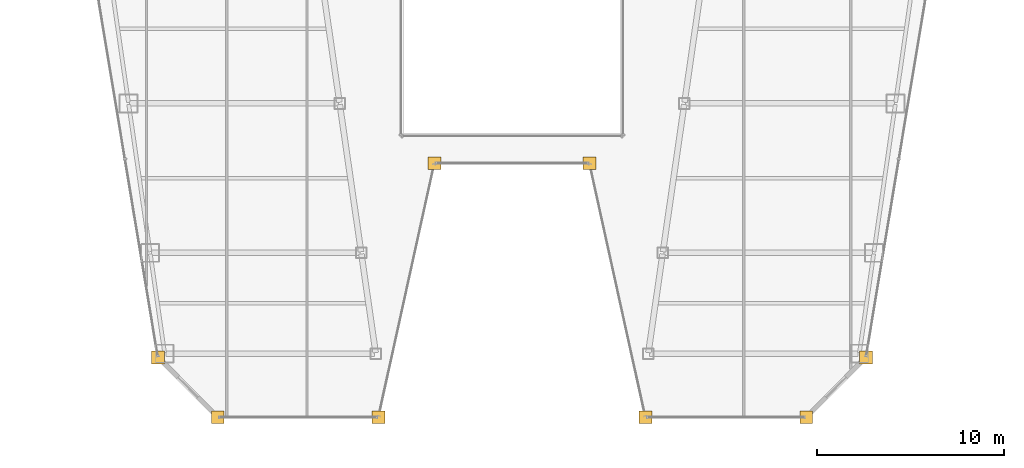
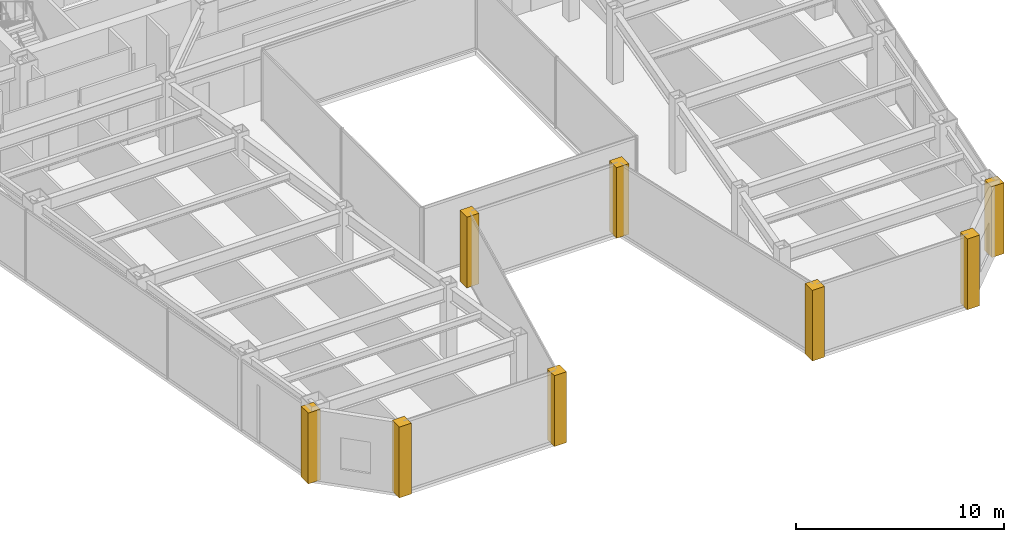
# One storey, part 35 of 37: 8 coverings.
"""IFC4 building model written with IfcOpenShell, lengths in metres."""

from ifc_helpers import new_model, si_unit, direction, frame, origin, place, context, subcontext, project, spatial, polyline, outline, extrude, material, layer, layer_set, type_object, element, save


model = new_model("IFC4")

# Units and contexts
model_context = context("Model", 3, precision=1e-05, world=origin(), true_north=direction((0.0, 1.0)))
body_context = subcontext(model_context, "Body", "Model", "MODEL_VIEW")
ifc_project = project(units=[si_unit("LENGTHUNIT", "METRE"), si_unit("AREAUNIT", "SQUARE_METRE"), si_unit("VOLUMEUNIT", "CUBIC_METRE"), si_unit("PLANEANGLEUNIT", "RADIAN"), si_unit("MASSUNIT", "GRAM", prefix="KILO")], contexts=[model_context])

# Site, building, storey
site_placement = place(None, origin())
site = spatial("IfcSite", under=ifc_project, at=site_placement, CompositionType="ELEMENT")
building_placement = place(site_placement, origin())
building = spatial("IfcBuilding", under=site, at=building_placement, Name="Saevonmaru Cultural Tower", CompositionType="ELEMENT")
storey_placement = place(building_placement, frame((0.0, 0.0, 114.800048828125)))
storey = spatial("IfcBuildingStorey", under=building, at=storey_placement, Name="L24", CompositionType="ELEMENT", Elevation=114.800048828125)

# Coverings
ifc_material = material(Name="Satin Bronze Anodised Aluminium", Category="aluminium")
ifc_layer = layer(ifc_material, 0.679931640625, Name="Satin Bronze Anodised Aluminium")
ifc_layer_set = layer_set([ifc_layer], Name="Satin Bronze Anodised Aluminium")
covering_type = type_object("IfcCoveringType", Name="CV-CORNER-CLAD", PredefinedType="CLADDING", material=ifc_layer_set)
covering_1_placement = place(storey_placement, origin())
element("IfcCovering", 1, at=covering_1_placement, inside=storey, type_object=covering_type, Name="L24 Tower Bronze Corner Cladding Pier 1", PredefinedType="CLADDING", context=body_context, shape_type="SweptSolid", body=[
    extrude(outline(polyline([(10.708984375, 10.06005859375), (11.388916015625, 10.06005859375), (11.388916015625, 10.739990234375), (10.708984375, 10.739990234375), (10.708984375, 10.06005859375)])), origin(), (0.0, 0.0, 1.0), 4.14990234375),
])
covering_2_placement = place(storey_placement, origin())
element("IfcCovering", 2, at=covering_2_placement, inside=storey, type_object=covering_type, Name="L24 Tower Bronze Corner Cladding Pier 2", PredefinedType="CLADDING", context=body_context, shape_type="SweptSolid", body=[
    extrude(outline(polyline([(13.908935546875, 6.860107421875), (14.589111328125, 6.860107421875), (14.589111328125, 7.5400390625), (13.908935546875, 7.5400390625), (13.908935546875, 6.860107421875)])), origin(), (0.0, 0.0, 1.0), 4.14990234375),
])
covering_3_placement = place(storey_placement, origin())
element("IfcCovering", 3, at=covering_3_placement, inside=storey, type_object=covering_type, Name="L24 Tower Bronze Corner Cladding Pier 3", PredefinedType="CLADDING", context=body_context, shape_type="SweptSolid", body=[
    extrude(outline(polyline([(22.509033203125, 6.860107421875), (23.18896484375, 6.860107421875), (23.18896484375, 7.5400390625), (22.509033203125, 7.5400390625), (22.509033203125, 6.860107421875)])), origin(), (0.0, 0.0, 1.0), 4.14990234375),
])
covering_4_placement = place(storey_placement, origin())
element("IfcCovering", 4, at=covering_4_placement, inside=storey, type_object=covering_type, Name="L24 Tower Bronze Corner Cladding Pier 4", PredefinedType="CLADDING", context=body_context, shape_type="SweptSolid", body=[
    extrude(outline(polyline([(25.509033203125, 20.4599609375), (26.18896484375, 20.4599609375), (26.18896484375, 21.139892578125), (25.509033203125, 21.139892578125), (25.509033203125, 20.4599609375)])), origin(), (0.0, 0.0, 1.0), 4.14990234375),
])
covering_5_placement = place(storey_placement, origin())
element("IfcCovering", 5, at=covering_5_placement, inside=storey, type_object=covering_type, Name="L24 Tower Bronze Corner Cladding Pier 5", PredefinedType="CLADDING", context=body_context, shape_type="SweptSolid", body=[
    extrude(outline(polyline([(33.81103515625, 20.4599609375), (34.490966796875, 20.4599609375), (34.490966796875, 21.139892578125), (33.81103515625, 21.139892578125), (33.81103515625, 20.4599609375)])), origin(), (0.0, 0.0, 1.0), 4.14990234375),
])
covering_6_placement = place(storey_placement, origin())
element("IfcCovering", 6, at=covering_6_placement, inside=storey, type_object=covering_type, Name="L24 Tower Bronze Corner Cladding Pier 6", PredefinedType="CLADDING", context=body_context, shape_type="SweptSolid", body=[
    extrude(outline(polyline([(36.81103515625, 6.860107421875), (37.490966796875, 6.860107421875), (37.490966796875, 7.5400390625), (36.81103515625, 7.5400390625), (36.81103515625, 6.860107421875)])), origin(), (0.0, 0.0, 1.0), 4.14990234375),
])
covering_7_placement = place(storey_placement, origin())
element("IfcCovering", 7, at=covering_7_placement, inside=storey, type_object=covering_type, Name="L24 Tower Bronze Corner Cladding Pier 7", PredefinedType="CLADDING", context=body_context, shape_type="SweptSolid", body=[
    extrude(outline(polyline([(45.410888671875, 6.860107421875), (46.091064453125, 6.860107421875), (46.091064453125, 7.5400390625), (45.410888671875, 7.5400390625), (45.410888671875, 6.860107421875)])), origin(), (0.0, 0.0, 1.0), 4.14990234375),
])
covering_8_placement = place(storey_placement, origin())
element("IfcCovering", 8, at=covering_8_placement, inside=storey, type_object=covering_type, Name="L24 Tower Bronze Corner Cladding Pier 8", PredefinedType="CLADDING", context=body_context, shape_type="SweptSolid", body=[
    extrude(outline(polyline([(48.611083984375, 10.06005859375), (49.291015625, 10.06005859375), (49.291015625, 10.739990234375), (48.611083984375, 10.739990234375), (48.611083984375, 10.06005859375)])), origin(), (0.0, 0.0, 1.0), 4.14990234375),
])

save(model, "model.ifc")
